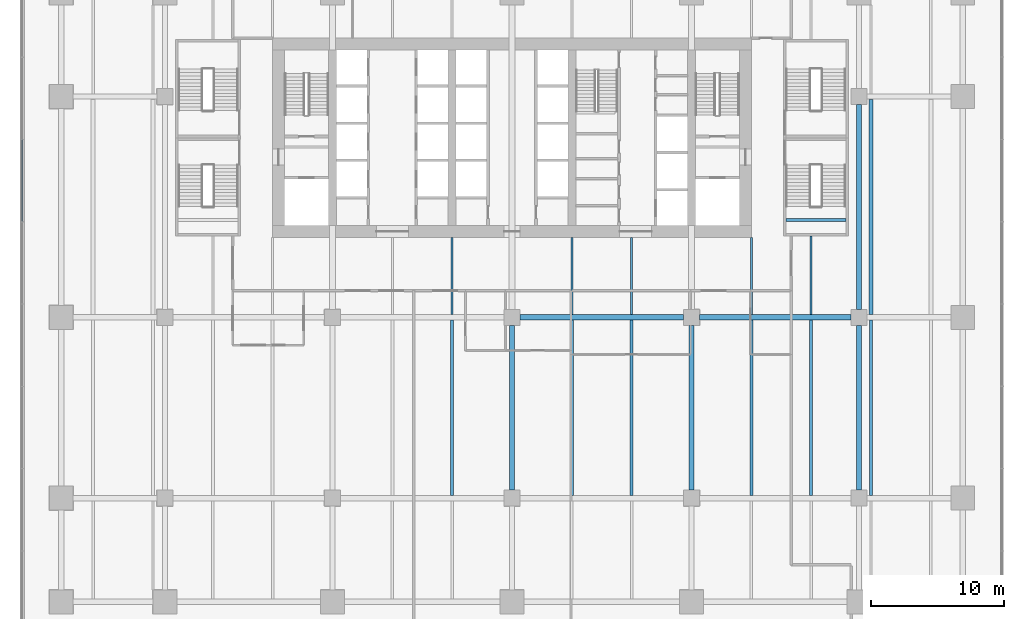
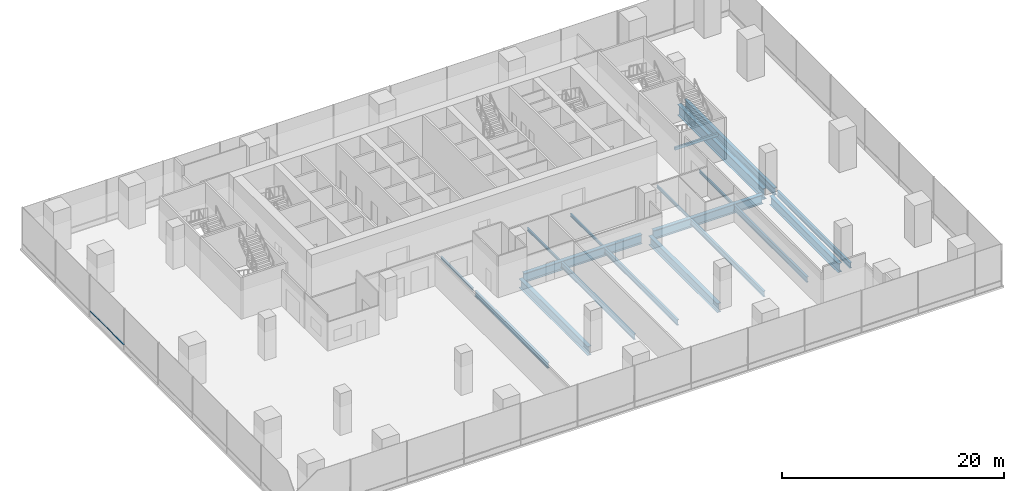
# One storey, part 8 of 28: 19 beams, 1 member, 1 element without a shape of its own.
"""IFC4 building model written with IfcOpenShell, lengths in metres."""

from ifc_helpers import new_model, si_unit, direction, frame, origin, origin_2d, place, context, subcontext, project, spatial, rectangle, i_section, extrude, material, layer, layer_set, material_profile, profile_set, type_object, element, aggregate, save


model = new_model("IFC4")

# Units and contexts
model_context = context("Model", 3, precision=1e-05, world=origin(), true_north=direction((0.0, 1.0)))
body_context = subcontext(model_context, "Body", "Model", "MODEL_VIEW")
ifc_project = project(units=[si_unit("LENGTHUNIT", "METRE"), si_unit("AREAUNIT", "SQUARE_METRE"), si_unit("VOLUMEUNIT", "CUBIC_METRE"), si_unit("PLANEANGLEUNIT", "RADIAN"), si_unit("MASSUNIT", "GRAM", prefix="KILO")], contexts=[model_context])

# Site, building, storey
site_placement = place(None, origin())
site = spatial("IfcSite", under=ifc_project, at=site_placement, CompositionType="ELEMENT")
building_placement = place(site_placement, origin())
building = spatial("IfcBuilding", under=site, at=building_placement, Name="Rattan Terrace Tower", CompositionType="ELEMENT")
storey_placement = place(building_placement, frame((0.0, 0.0, 22.199951171875)))
storey = spatial("IfcBuildingStorey", under=building, at=storey_placement, Name="L04", CompositionType="ELEMENT", Elevation=22.199951171875)

# Beams
ifc_material_1 = material(Name="Concrete C40/50", Category="concrete")
ifc_material_profile_1 = material_profile(ifc_material_1, rectangle(XDim=0.199951171875, YDim=0.300048828125, at=origin_2d()), Name="RC 200x300")
ifc_profile_set_1 = profile_set([ifc_material_profile_1], Name="Concrete C40/50")
beam_type_1 = type_object("IfcBeamType", Name="Core landing beam RC 200x300", PredefinedType="BEAM", material=ifc_profile_set_1)
beam_1_placement = place(storey_placement, frame((20.60009765625, -6.18505859375, 2.050048828125), z_axis=(1.0, 0.0, 0.0), x_axis=(0.0, 1.0, 0.0)))
element("IfcBeam", 1, at=beam_1_placement, inside=storey, type_object=beam_type_1, Name="st-S6-L04 landing 1 edge beam", PredefinedType="BEAM", context=body_context, shape_type="SweptSolid", body=[
    extrude(rectangle(XDim=0.199951171875, YDim=0.300048828125, at=origin_2d()), origin(), (0.0, 0.0, 1.0), 4.5),
])
ifc_material_2 = material(Name="Steel S355", Category="steel")
ifc_material_profile_2 = material_profile(ifc_material_2, i_section(OverallWidth=0.300048828125, OverallDepth=0.800048828125, WebThickness=0.017578125, FlangeThickness=0.032958984375, FilletRadius=0.030029296875, at=origin_2d()), Name="HE 800 B")
ifc_profile_set_2 = profile_set([ifc_material_profile_2], Name="Steel S355")
beam_type_2 = type_object("IfcBeamType", Name="Frame floor beam HE 800 B", PredefinedType="JOIST", material=ifc_profile_set_2)
beam_2_placement = place(storey_placement, frame((27.0, -13.300048828125, -0.599853515625), z_axis=(0.0, 1.0, 0.0), x_axis=(-1.0, 0.0, 0.0)))
element("IfcBeam", 2, at=beam_2_placement, inside=storey, type_object=beam_type_2, Name="bm-L04-037", PredefinedType="JOIST", context=body_context, shape_type="SweptSolid", body=[
    extrude(i_section(OverallWidth=0.300048828125, OverallDepth=0.800048828125, WebThickness=0.017578125, FlangeThickness=0.032958984375, FilletRadius=0.030029296875, at=origin_2d()), origin(), (0.0, 0.0, 1.0), 16.199951171875),
])
ifc_material_3 = material(Name="Steel S355", Category="steel")
ifc_material_profile_3 = material_profile(ifc_material_3, i_section(OverallWidth=0.14990234375, OverallDepth=0.300048828125, WebThickness=0.007080078125, FlangeThickness=0.0107421875, FilletRadius=0.014892578125, at=origin_2d()), Name="IPE 300")
ifc_profile_set_3 = profile_set([ifc_material_profile_3], Name="Steel S355")
beam_type_3 = type_object("IfcBeamType", Name="Frame floor beam IPE 300", PredefinedType="JOIST", material=ifc_profile_set_3)
for number, where, z_axis, x_axis, name in (
    (3, (-4.5, -13.300048828125, -0.349853515625), (0.0, 1.0, 0.0), (-1.0, 0.0, 0.0), "bm-L04-032"),
    (4, (4.5, -13.300048828125, -0.349853515625), (0.0, 1.0, 0.0), (-1.0, 0.0, 0.0), "bm-L04-033"),
    (5, (9.0, -13.300048828125, -0.349853515625), (0.0, 1.0, 0.0), (-1.0, 0.0, 0.0), "bm-L04-034"),
    (6, (18.0, -13.300048828125, -0.349853515625), (0.0, 1.0, 0.0), (-1.0, 0.0, 0.0), "bm-L04-035"),
):
    element("IfcBeam", number, at=place(storey_placement, frame(where, z_axis=z_axis, x_axis=x_axis)), inside=storey, type_object=beam_type_3, Name=name, PredefinedType="JOIST", context=body_context, shape_type="SweptSolid", body=[
        extrude(i_section(OverallWidth=0.14990234375, OverallDepth=0.300048828125, WebThickness=0.007080078125, FlangeThickness=0.0107421875, FilletRadius=0.014892578125, at=origin_2d()), origin(), (0.0, 0.0, 1.0), 5.800048828125),
    ])
beam_3_placement = place(storey_placement, frame((22.5, -13.300048828125, -0.349853515625), z_axis=(0.0, 1.0, 0.0), x_axis=(-1.0, 0.0, 0.0)))
element("IfcBeam", 7, at=beam_3_placement, inside=storey, type_object=beam_type_3, Name="bm-L04-036", PredefinedType="JOIST", context=body_context, shape_type="SweptSolid", body=[
    extrude(i_section(OverallWidth=0.14990234375, OverallDepth=0.300048828125, WebThickness=0.007080078125, FlangeThickness=0.0107421875, FilletRadius=0.014892578125, at=origin_2d()), origin(), (0.0, 0.0, 1.0), 5.900146484375),
])
ifc_material_4 = material(Name="Steel S355", Category="steel")
ifc_material_profile_4 = material_profile(ifc_material_4, i_section(OverallWidth=0.22412109375, OverallDepth=0.610107421875, WebThickness=0.014892578125, FlangeThickness=0.02392578125, FilletRadius=0.02392578125, at=origin_2d()), Name="IPE O 600")
ifc_profile_set_4 = profile_set([ifc_material_profile_4], Name="Steel S355")
beam_type_4 = type_object("IfcBeamType", Name="Frame floor beam IPE O 600", PredefinedType="JOIST", material=ifc_profile_set_4)
for number, where, z_axis, x_axis, name in (
    (8, (-4.5, -26.89990234375, -0.5048828125), (0.0, 1.0, 0.0), (-1.0, 0.0, 0.0), "bm-L04-020"),
    (9, (4.5, -26.89990234375, -0.5048828125), (0.0, 1.0, 0.0), (-1.0, 0.0, 0.0), "bm-L04-021"),
    (10, (9.0, -26.89990234375, -0.5048828125), (0.0, 1.0, 0.0), (-1.0, 0.0, 0.0), "bm-L04-022"),
    (11, (18.0, -26.89990234375, -0.5048828125), (0.0, 1.0, 0.0), (-1.0, 0.0, 0.0), "bm-L04-023"),
    (12, (22.5, -26.89990234375, -0.5048828125), (0.0, 1.0, 0.0), (-1.0, 0.0, 0.0), "bm-L04-024"),
    (13, (27.0, -26.89990234375, -0.5048828125), (0.0, 1.0, 0.0), (-1.0, 0.0, 0.0), "bm-L04-025"),
):
    element("IfcBeam", number, at=place(storey_placement, frame(where, z_axis=z_axis, x_axis=x_axis)), inside=storey, type_object=beam_type_4, Name=name, PredefinedType="JOIST", context=body_context, shape_type="SweptSolid", body=[
        extrude(i_section(OverallWidth=0.22412109375, OverallDepth=0.610107421875, WebThickness=0.014892578125, FlangeThickness=0.02392578125, FilletRadius=0.02392578125, at=origin_2d()), origin(), (0.0, 0.0, 1.0), 13.199951171875),
    ])
ifc_material_5 = material(Name="Steel S460", Category="steel")
ifc_material_profile_5 = material_profile(ifc_material_5, i_section(OverallWidth=0.39990234375, OverallDepth=1.0, WebThickness=0.01806640625, FlangeThickness=0.044921875, at=origin_2d()), Name="PG 1000x400-18-45")
ifc_profile_set_5 = profile_set([ifc_material_profile_5], Name="Steel S460")
beam_type_5 = type_object("IfcBeamType", Name="Frame podium girder PG 1000x400-18-45", PredefinedType="USERDEFINED", material=ifc_profile_set_5)
for number, where, z_axis, x_axis, name in (
    (14, (0.0, -26.5, -0.699951171875), (0.0, 1.0, 0.0), (-1.0, 0.0, 0.0), "gdr-L04-022"),
    (15, (13.5, -26.5, -0.699951171875), (0.0, 1.0, 0.0), (-1.0, 0.0, 0.0), "gdr-L04-023"),
    (16, (26.10009765625, -26.5, -0.699951171875), (0.0, 1.0, 0.0), (-1.0, 0.0, 0.0), "gdr-L04-024"),
):
    element("IfcBeam", number, at=place(storey_placement, frame(where, z_axis=z_axis, x_axis=x_axis)), inside=storey, type_object=beam_type_5, Name=name, ObjectType="PODIUM GIRDER", PredefinedType="USERDEFINED", context=body_context, shape_type="SweptSolid", body=[
        extrude(i_section(OverallWidth=0.39990234375, OverallDepth=1.0, WebThickness=0.01806640625, FlangeThickness=0.044921875, at=origin_2d()), origin(), (0.0, 0.0, 1.0), 12.39990234375),
    ])
beam_4_placement = place(storey_placement, frame((0.60009765625, -13.5, -0.699951171875), z_axis=(1.0, 0.0, 0.0), x_axis=(0.0, 1.0, 0.0)))
element("IfcBeam", 17, at=beam_4_placement, inside=storey, type_object=beam_type_5, Name="gdr-L04-030", ObjectType="PODIUM GIRDER", PredefinedType="USERDEFINED", context=body_context, shape_type="SweptSolid", body=[
    extrude(i_section(OverallWidth=0.39990234375, OverallDepth=1.0, WebThickness=0.01806640625, FlangeThickness=0.044921875, at=origin_2d()), origin(), (0.0, 0.0, 1.0), 12.2998046875),
])
beam_5_placement = place(storey_placement, frame((14.10009765625, -13.5, -0.699951171875), z_axis=(1.0, 0.0, 0.0), x_axis=(0.0, 1.0, 0.0)))
element("IfcBeam", 18, at=beam_5_placement, inside=storey, type_object=beam_type_5, Name="gdr-L04-031", ObjectType="PODIUM GIRDER", PredefinedType="USERDEFINED", context=body_context, shape_type="SweptSolid", body=[
    extrude(i_section(OverallWidth=0.39990234375, OverallDepth=1.0, WebThickness=0.01806640625, FlangeThickness=0.044921875, at=origin_2d()), origin(), (0.0, 0.0, 1.0), 11.39990234375),
])
ifc_material_6 = material(Name="Steel S460", Category="steel")
ifc_material_profile_6 = material_profile(ifc_material_6, i_section(OverallWidth=0.39990234375, OverallDepth=1.199951171875, WebThickness=0.02001953125, FlangeThickness=0.050048828125, at=origin_2d()), Name="PG 1200x400-20-50")
ifc_profile_set_6 = profile_set([ifc_material_profile_6], Name="Steel S460")
beam_type_6 = type_object("IfcBeamType", Name="Frame podium girder PG 1200x400-20-50", PredefinedType="USERDEFINED", material=ifc_profile_set_6)
beam_6_placement = place(storey_placement, frame((26.10009765625, -12.89990234375, -0.800048828125), z_axis=(0.0, 1.0, 0.0), x_axis=(-1.0, 0.0, 0.0)))
element("IfcBeam", 19, at=beam_6_placement, inside=storey, type_object=beam_type_6, Name="gdr-L04-037", ObjectType="PODIUM GIRDER", PredefinedType="USERDEFINED", context=body_context, shape_type="SweptSolid", body=[
    extrude(i_section(OverallWidth=0.39990234375, OverallDepth=1.199951171875, WebThickness=0.02001953125, FlangeThickness=0.050048828125, at=origin_2d()), origin(), (0.0, 0.0, 1.0), 15.39990234375),
])

# Curtain wall, member
ifc_material_7 = material(Name="Aluminium and glass", Category="aluminium")
ifc_layer = layer(ifc_material_7, 0.1201171875)
ifc_layer_set = layer_set([ifc_layer], Name="Station Storefront Curtain Wall")
curtain_wall_type = type_object("IfcCurtainWallType", Name="Station Storefront Curtain Wall", PredefinedType="NOTDEFINED", material=ifc_layer_set)
curtain_wall_placement = place(storey_placement, origin())
curtain_wall = element("IfcCurtainWall", 20, at=curtain_wall_placement, inside=storey, type_object=curtain_wall_type, Name="Storefront curtain wall L04-3", PredefinedType="NOTDEFINED")
ifc_material_8 = material(Name="Aluminium", Category="aluminium")
ifc_material_profile_7 = material_profile(ifc_material_8, rectangle(XDim=0.10009765625, YDim=0.050048828125, at=origin_2d()), Name="Aluminium 100x50")
ifc_profile_set_7 = profile_set([ifc_material_profile_7], Name="Aluminium")
member_type = type_object("IfcMemberType", Name="Storefront CW Transom 100x50", PredefinedType="USERDEFINED", material=ifc_profile_set_7)
member_placement = place(storey_placement, frame((-36.830078125, -0.15087890625, 0.60009765625), z_axis=(0.0, -1.0, 0.0), x_axis=(1.0, 0.0, 0.0)))
member = element("IfcMember", 21, at=member_placement, type_object=member_type, Name="Transom cwl-L04-003.3", ObjectType="TRANSOM", PredefinedType="USERDEFINED", context=body_context, shape_type="SweptSolid", body=[
    extrude(rectangle(XDim=0.10009765625, YDim=0.050048828125, at=origin_2d()), origin(), (0.0, 0.0, 1.0), 6.13818359375),
])
aggregate(curtain_wall, [member])

save(model, "model.ifc")
